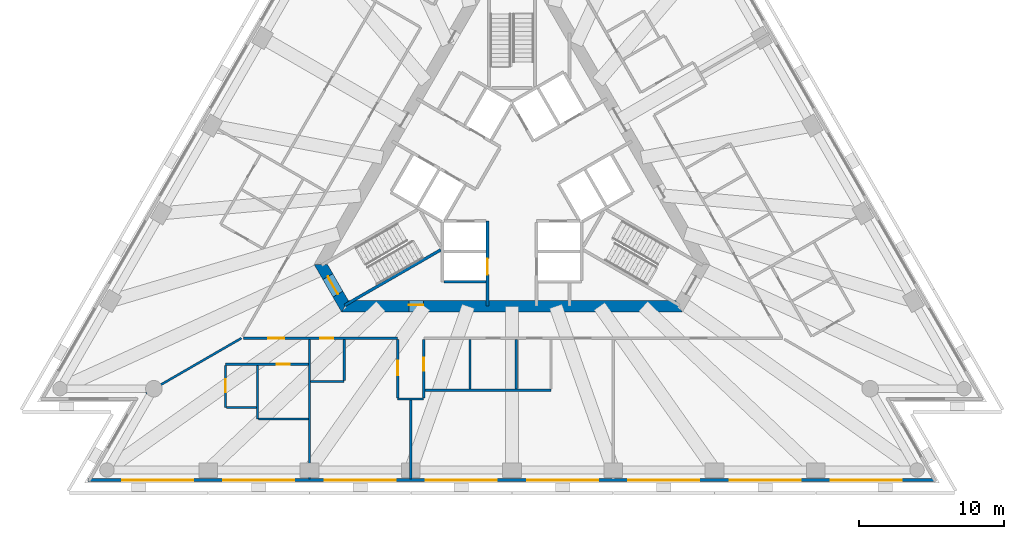
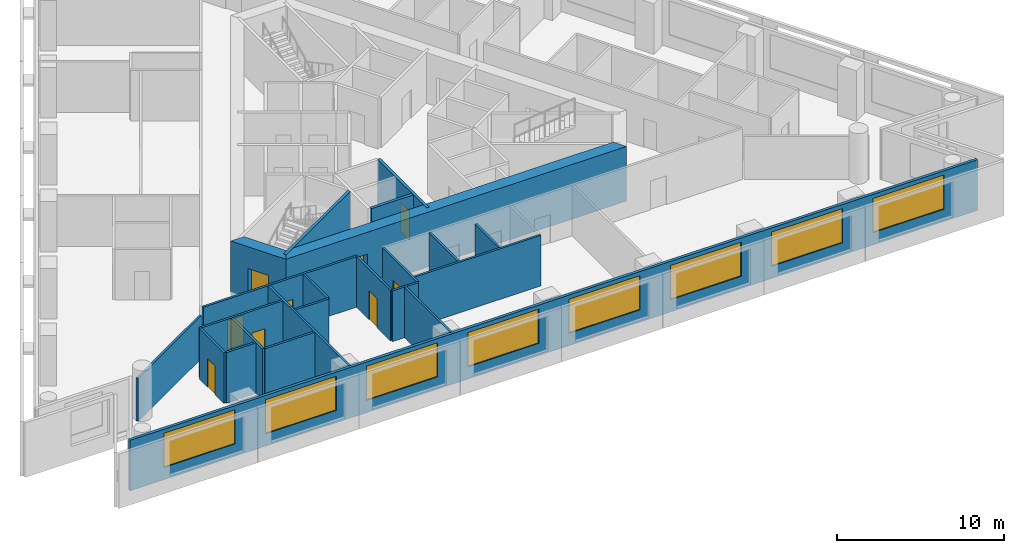
# One storey, part 3 of 10: 23 walls, 9 doors, 8 windows, 17 openings.
"""IFC4 building model written with IfcOpenShell, lengths in metres."""

from ifc_helpers import new_model, si_unit, direction, frame, frame_2d, origin, place, context, subcontext, project, spatial, polyline, rectangle, outline, extrude, material, layer, layer_set, layer_usage, type_object, element, fill, save


model = new_model("IFC4")

# Units and contexts
model_context = context("Model", 3, precision=1e-05, world=origin(), true_north=direction((0.0, 1.0)))
body_context = subcontext(model_context, "Body", "Model", "MODEL_VIEW")
ifc_project = project(units=[si_unit("LENGTHUNIT", "METRE"), si_unit("AREAUNIT", "SQUARE_METRE"), si_unit("VOLUMEUNIT", "CUBIC_METRE"), si_unit("PLANEANGLEUNIT", "RADIAN"), si_unit("MASSUNIT", "GRAM", prefix="KILO")], contexts=[model_context])

# Site, building, storey
site_placement = place(None, origin())
site = spatial("IfcSite", under=ifc_project, at=site_placement, CompositionType="ELEMENT")
building_placement = place(site_placement, origin())
building = spatial("IfcBuilding", under=site, at=building_placement, Name="Triada Interchange Tower", CompositionType="ELEMENT")
storey_placement = place(building_placement, frame((0.0, 0.0, 108.300048828125)))
storey = spatial("IfcBuildingStorey", under=building, at=storey_placement, Name="L24", CompositionType="ELEMENT", Elevation=108.300048828125)

# Wall
ifc_material_1 = material(Name="Concrete C30/37", Category="concrete")
ifc_layer_1 = layer(ifc_material_1, 0.199951171875)
ifc_layer_set_1 = layer_set([ifc_layer_1], Name="CORE WALL 200 EI 120")
wall_type_1 = type_object("IfcWallType", Name="CORE WALL 200 EI 120", PredefinedType="SOLIDWALL", material=ifc_layer_set_1)
wall_1_placement = place(storey_placement, frame((-4.699951171875, -6.89990234375, 0.0), z_axis=(0.0, 0.0, 1.0), x_axis=(1.0, 0.0, 0.0)))
element("IfcWall", 1, at=wall_1_placement, inside=storey, type_object=wall_type_1, Name="Wall L23 69", PredefinedType="SOLIDWALL", context=body_context, shape_type="SweptSolid", body=[
    extrude(rectangle(XDim=2.89990234375, YDim=0.199951171875, at=frame_2d((1.449951171875, 0.0))), origin(), (0.0, 0.0, 1.0), 3.699951171875),
])

# Wall, opening, door
wall_2_placement = place(storey_placement, frame((-1.699951171875, -8.580078125, 0.0), z_axis=(0.0, 0.0, 1.0), x_axis=(0.0, 1.0, 0.0)))
wall_2 = element("IfcWall", 2, at=wall_2_placement, inside=storey, type_object=wall_type_1, Name="Wall L23 71", PredefinedType="SOLIDWALL", context=body_context, shape_type="SweptSolid", body=[
    extrude(rectangle(XDim=5.877197265625, YDim=0.199951171875, at=frame_2d((2.9384765625, 0.0))), origin(), (0.0, 0.0, 1.0), 3.699951171875),
])
opening_1_placement = place(wall_2_placement, frame((2.179931640625, 0.0, 0.0)))
opening_1 = element("IfcOpeningElement", 3, at=opening_1_placement, cuts=wall_2, Name="Opening LD-LR4", PredefinedType="OPENING", context=body_context, shape_type="SweptSolid", body=[
    extrude(rectangle(XDim=1.10009765625, YDim=2.10009765625, at=frame_2d((0.550048828125, 1.050048828125))), frame((0.0, 0.10986328125, 0.0), z_axis=(0.0, -1.0, 0.0), x_axis=(1.0, 0.0, 0.0)), (0.0, 0.0, 1.0), 0.219970703125),
])
ifc_material_2 = material(Name="Steel S235 door leaf", Category="steel")
door_type_1 = type_object("IfcDoorType", Name="LIFT LANDING DOOR 1100 EI 120", OperationType="SLIDING_TO_LEFT", PredefinedType="DOOR", material=ifc_material_2)
door_1_placement = place(opening_1_placement, origin())
door_1 = element("IfcDoor", 4, at=door_1_placement, inside=storey, type_object=door_type_1, Name="LR4 landing door L24", OperationType="SLIDING_TO_LEFT", OverallHeight=2.10009765625, OverallWidth=1.10009765625, PredefinedType="DOOR", context=body_context, shape_type="SweptSolid", body=[
    extrude(rectangle(XDim=1.10009765625, YDim=2.10009765625, at=frame_2d((0.550048828125, 1.050048828125))), frame((0.0, 0.02490234375, 0.0), z_axis=(0.0, -1.0, 0.0), x_axis=(1.0, 0.0, 0.0)), (0.0, 0.0, 1.0), 0.050048828125),
])
fill(opening_1, door_1)

# Wall
ifc_layer_2 = layer(ifc_material_1, 0.199951171875)
ifc_layer_set_2 = layer_set([ifc_layer_2], Name="CORE WALL 200 REI 240")
wall_type_2 = type_object("IfcWallType", Name="CORE WALL 200 REI 240", PredefinedType="SOLIDWALL", material=ifc_layer_set_2)
wall_3_placement = place(storey_placement, frame((-11.56689453125, -8.52587890625, 0.0), z_axis=(0.0, 0.0, 1.0), x_axis=(0.866005769735, 0.50003400563, 0.0)))
element("IfcWall", 5, at=wall_3_placement, inside=storey, type_object=wall_type_2, Name="Wall L23 105", PredefinedType="SOLIDWALL", context=body_context, shape_type="SweptSolid", body=[
    extrude(rectangle(XDim=7.6650390625, YDim=0.199951171875, at=frame_2d((3.83251953125, 0.0))), origin(), (0.0, 0.0, 1.0), 3.699951171875),
])

# Wall, opening, door
ifc_material_3 = material(Name="Concrete C60/75", Category="concrete")
ifc_layer_3 = layer(ifc_material_3, 0.800048828125)
ifc_layer_set_3 = layer_set([ifc_layer_3], Name="Core wall B 800")
wall_type_3 = type_object("IfcWallType", Name="Core wall B 800", PredefinedType="SHEAR", material=ifc_layer_set_3)
wall_4_placement = place(storey_placement, frame((-13.220947265625, -5.699951171875, -0.300048828125), z_axis=(0.0, 0.0, 1.0), x_axis=(0.49987182685, -0.866099391942, 0.0)))
wall_4 = element("IfcWall", 6, at=wall_4_placement, inside=storey, type_object=wall_type_3, Name="Core wall WB03 L24", PredefinedType="SHEAR", context=body_context, shape_type="SweptSolid", body=[
    extrude(outline(polyline([(-0.23095703125, -0.39990234375), (1.674072265625, -0.39990234375), (3.5791015625, -0.39990234375), (3.117919921875, 0.39990234375), (1.67431640625, 0.39990234375), (0.23095703125, 0.39990234375), (-0.23095703125, -0.39990234375)])), origin(), (0.0, 0.0, 1.0), 4.0),
])
opening_2_placement = place(wall_4_placement, frame((0.97412109375, 0.0, 0.300048828125)))
opening_2 = element("IfcOpeningElement", 7, at=opening_2_placement, cuts=wall_4, Name="Opening D23-44", PredefinedType="OPENING", context=body_context, shape_type="SweptSolid", body=[
    extrude(rectangle(XDim=1.39990234375, YDim=2.10009765625, at=frame_2d((0.699951171875, 1.050048828125))), frame((0.0, 0.409912109375, 0.0), z_axis=(0.0, -1.0, 0.0), x_axis=(1.0, 0.0, 0.0)), (0.0, 0.0, 1.0), 0.820068359375),
])
door_type_2 = type_object("IfcDoorType", Name="STAIR DOOR 1400 EI2 90-C5S200", OperationType="DOUBLE_DOOR_SINGLE_SWING", PredefinedType="DOOR", material=ifc_material_2)
door_2_placement = place(opening_2_placement, origin())
door_2 = element("IfcDoor", 8, at=door_2_placement, inside=storey, type_object=door_type_2, Name="Door D23-44 L24", OperationType="DOUBLE_DOOR_SINGLE_SWING", OverallHeight=2.10009765625, OverallWidth=1.39990234375, PredefinedType="DOOR", context=body_context, shape_type="SweptSolid", body=[
    extrude(rectangle(XDim=1.39990234375, YDim=2.10009765625, at=frame_2d((0.699951171875, 1.050048828125))), frame((0.0, 0.02490234375, 0.0), z_axis=(0.0, -1.0, 0.0), x_axis=(1.0, 0.0, 0.0)), (0.0, 0.0, 1.0), 0.050048828125),
])
fill(opening_2, door_2)

wall_5_placement = place(storey_placement, frame((-11.547119140625, -8.60009765625, -0.300048828125), z_axis=(0.0, 0.0, 1.0), x_axis=(1.0, 0.0, 0.0)))
wall_5 = element("IfcWall", 9, at=wall_5_placement, inside=storey, type_object=wall_type_3, Name="Core wall WB04 L24", PredefinedType="SHEAR", context=body_context, shape_type="SweptSolid", body=[
    extrude(outline(polyline([(-0.23095703125, -0.39990234375), (1.73193359375, -0.39990234375), (3.695068359375, -0.39990234375), (5.657958984375, -0.39990234375), (7.62109375, -0.39990234375), (9.583984375, -0.39990234375), (11.546875, -0.39990234375), (13.510009765625, -0.39990234375), (15.472900390625, -0.39990234375), (17.43603515625, -0.39990234375), (19.39892578125, -0.39990234375), (21.362060546875, -0.39990234375), (23.324951171875, -0.39990234375), (22.863037109375, 0.39990234375), (20.97705078125, 0.39990234375), (19.091064453125, 0.39990234375), (17.205078125, 0.39990234375), (15.319091796875, 0.39990234375), (13.43310546875, 0.39990234375), (11.546875, 0.39990234375), (9.660888671875, 0.39990234375), (7.77490234375, 0.39990234375), (5.888916015625, 0.39990234375), (4.0029296875, 0.39990234375), (2.116943359375, 0.39990234375), (0.23095703125, 0.39990234375), (-0.23095703125, -0.39990234375)])), origin(), (0.0, 0.0, 1.0), 4.0),
])
opening_3_placement = place(wall_5_placement, frame((4.4140625, 0.0, 0.300048828125)))
opening_3 = element("IfcOpeningElement", 10, at=opening_3_placement, cuts=wall_5, Name="Opening D23-47", PredefinedType="OPENING", context=body_context, shape_type="SweptSolid", body=[
    extrude(rectangle(XDim=1.0, YDim=2.10009765625, at=frame_2d((0.5, 1.050048828125))), frame((0.0, 0.409912109375, 0.0), z_axis=(0.0, -1.0, 0.0), x_axis=(1.0, 0.0, 0.0)), (0.0, 0.0, 1.0), 0.820068359375),
])
door_type_3 = type_object("IfcDoorType", Name="SERVICE DOOR 1000 EI2 45-C5S200", OperationType="NOTDEFINED", PredefinedType="DOOR", material=ifc_material_2)
door_3_placement = place(opening_3_placement, origin())
door_3 = element("IfcDoor", 11, at=door_3_placement, inside=storey, type_object=door_type_3, Name="Door D23-47 L24", OperationType="SINGLE_SWING_LEFT", OverallHeight=2.10009765625, OverallWidth=1.0, PredefinedType="DOOR", context=body_context, shape_type="SweptSolid", body=[
    extrude(rectangle(XDim=1.0, YDim=2.10009765625, at=frame_2d((0.5, 1.050048828125))), frame((0.0, 0.125, 0.0), z_axis=(0.0, -1.0, 0.0), x_axis=(1.0, 0.0, 0.0)), (0.0, 0.0, 1.0), 0.050048828125),
])
fill(opening_3, door_3)

# Wall, openings, windows
ifc_material_4 = material(Name="Cement board")
ifc_layer_4 = layer(ifc_material_4, 0.02001953125, Name="Cement board cladding")
ifc_material_5 = material(Name="Sheathing board")
ifc_layer_5 = layer(ifc_material_5, 0.014892578125, Name="Sheathing board")
ifc_material_6 = material(Name="Mineral wool")
ifc_layer_6 = layer(ifc_material_6, 0.14990234375, Name="Mineral wool between steel studs")
ifc_material_7 = material(Name="Gypsum board")
ifc_layer_7 = layer(ifc_material_7, 0.014892578125, Name="Plasterboard lining")
ifc_layer_set_4 = layer_set([ifc_layer_4, ifc_layer_5, ifc_layer_6, ifc_layer_7], Name="External wall 200")
ifc_layer_usage = layer_usage(ifc_layer_set_4, "AXIS2", "POSITIVE", -0.10009765625)
wall_type_4 = type_object("IfcWallType", Name="External wall 200", PredefinedType="ELEMENTEDWALL", material=ifc_layer_set_4)
wall_6_placement = place(storey_placement, frame((-29.31005859375, -20.616943359375, 0.0), z_axis=(0.0, 0.0, 1.0), x_axis=(1.0, 0.0, 0.0)))
wall_6 = element("IfcWall", 12, at=wall_6_placement, inside=storey, type_object=wall_type_4, material=ifc_layer_usage, Name="External wall L24 S", PredefinedType="ELEMENTEDWALL", context=body_context, shape_type="SweptSolid", body=[
    extrude(rectangle(XDim=58.60009765625, YDim=0.199951171875, at=frame_2d((29.300048828125, 0.0))), origin(), (0.0, 0.0, 1.0), 3.699951171875),
])
opening_4_placement = place(wall_6_placement, frame((2.35400390625, 0.0, 0.89990234375)))
opening_4 = element("IfcOpeningElement", 13, at=opening_4_placement, cuts=wall_6, Name="Opening WB11", PredefinedType="OPENING", context=body_context, shape_type="SweptSolid", body=[
    extrude(rectangle(XDim=4.89990234375, YDim=2.5, at=frame_2d((2.449951171875, 1.25))), frame((0.0, 0.10986328125, 0.0), z_axis=(0.0, -1.0, 0.0), x_axis=(1.0, 0.0, 0.0)), (0.0, 0.0, 1.0), 0.219970703125),
])
opening_5_placement = place(wall_6_placement, frame((9.35595703125, 0.0, 0.89990234375)))
opening_5 = element("IfcOpeningElement", 14, at=opening_5_placement, cuts=wall_6, Name="Opening WB12", PredefinedType="OPENING", context=body_context, shape_type="SweptSolid", body=[
    extrude(rectangle(XDim=4.89990234375, YDim=2.5, at=frame_2d((2.449951171875, 1.25))), frame((0.0, 0.10986328125, 0.0), z_axis=(0.0, -1.0, 0.0), x_axis=(1.0, 0.0, 0.0)), (0.0, 0.0, 1.0), 0.219970703125),
])
opening_6_placement = place(wall_6_placement, frame((16.35693359375, 0.0, 0.89990234375)))
opening_6 = element("IfcOpeningElement", 15, at=opening_6_placement, cuts=wall_6, Name="Opening WB13", PredefinedType="OPENING", context=body_context, shape_type="SweptSolid", body=[
    extrude(rectangle(XDim=4.89990234375, YDim=2.5, at=frame_2d((2.449951171875, 1.25))), frame((0.0, 0.10986328125, 0.0), z_axis=(0.0, -1.0, 0.0), x_axis=(1.0, 0.0, 0.0)), (0.0, 0.0, 1.0), 0.219970703125),
])
opening_7_placement = place(wall_6_placement, frame((23.35888671875, 0.0, 0.89990234375)))
opening_7 = element("IfcOpeningElement", 16, at=opening_7_placement, cuts=wall_6, Name="Opening WB14", PredefinedType="OPENING", context=body_context, shape_type="SweptSolid", body=[
    extrude(rectangle(XDim=4.89990234375, YDim=2.5, at=frame_2d((2.449951171875, 1.25))), frame((0.0, 0.10986328125, 0.0), z_axis=(0.0, -1.0, 0.0), x_axis=(1.0, 0.0, 0.0)), (0.0, 0.0, 1.0), 0.219970703125),
])
opening_8_placement = place(wall_6_placement, frame((30.361083984375, 0.0, 0.89990234375)))
opening_8 = element("IfcOpeningElement", 17, at=opening_8_placement, cuts=wall_6, Name="Opening WB15", PredefinedType="OPENING", context=body_context, shape_type="SweptSolid", body=[
    extrude(rectangle(XDim=4.89990234375, YDim=2.5, at=frame_2d((2.449951171875, 1.25))), frame((0.0, 0.10986328125, 0.0), z_axis=(0.0, -1.0, 0.0), x_axis=(1.0, 0.0, 0.0)), (0.0, 0.0, 1.0), 0.219970703125),
])
opening_9_placement = place(wall_6_placement, frame((37.363037109375, 0.0, 0.89990234375)))
opening_9 = element("IfcOpeningElement", 18, at=opening_9_placement, cuts=wall_6, Name="Opening WB16", PredefinedType="OPENING", context=body_context, shape_type="SweptSolid", body=[
    extrude(rectangle(XDim=4.89990234375, YDim=2.5, at=frame_2d((2.449951171875, 1.25))), frame((0.0, 0.10986328125, 0.0), z_axis=(0.0, -1.0, 0.0), x_axis=(1.0, 0.0, 0.0)), (0.0, 0.0, 1.0), 0.219970703125),
])
opening_10_placement = place(wall_6_placement, frame((44.364013671875, 0.0, 0.89990234375)))
opening_10 = element("IfcOpeningElement", 19, at=opening_10_placement, cuts=wall_6, Name="Opening WB17", PredefinedType="OPENING", context=body_context, shape_type="SweptSolid", body=[
    extrude(rectangle(XDim=4.89990234375, YDim=2.5, at=frame_2d((2.449951171875, 1.25))), frame((0.0, 0.10986328125, 0.0), z_axis=(0.0, -1.0, 0.0), x_axis=(1.0, 0.0, 0.0)), (0.0, 0.0, 1.0), 0.219970703125),
])
opening_11_placement = place(wall_6_placement, frame((51.365966796875, 0.0, 0.89990234375)))
opening_11 = element("IfcOpeningElement", 20, at=opening_11_placement, cuts=wall_6, Name="Opening WB18", PredefinedType="OPENING", context=body_context, shape_type="SweptSolid", body=[
    extrude(rectangle(XDim=4.89990234375, YDim=2.5, at=frame_2d((2.449951171875, 1.25))), frame((0.0, 0.10986328125, 0.0), z_axis=(0.0, -1.0, 0.0), x_axis=(1.0, 0.0, 0.0)), (0.0, 0.0, 1.0), 0.219970703125),
])
ifc_material_8 = material(Name="Double glazed aluminium window", Category="aluminium")
window_type = type_object("IfcWindowType", Name="Ribbon window B face", PartitioningType="SINGLE_PANEL", PredefinedType="WINDOW", material=ifc_material_8)
window_1_placement = place(opening_4_placement, origin())
window_1 = element("IfcWindow", 21, at=window_1_placement, inside=storey, type_object=window_type, Name="Window L24 S 1", OverallHeight=2.5, OverallWidth=4.89990234375, PartitioningType="SINGLE_PANEL", PredefinedType="WINDOW", context=body_context, shape_type="SweptSolid", body=[
    extrude(rectangle(XDim=4.89990234375, YDim=2.5, at=frame_2d((2.449951171875, 1.25))), frame((0.0, 0.030029296875, 0.0), z_axis=(0.0, -1.0, 0.0), x_axis=(1.0, 0.0, 0.0)), (0.0, 0.0, 1.0), 0.06005859375),
])
fill(opening_4, window_1)
window_2_placement = place(opening_5_placement, origin())
window_2 = element("IfcWindow", 22, at=window_2_placement, inside=storey, type_object=window_type, Name="Window L24 S 2", OverallHeight=2.5, OverallWidth=4.89990234375, PartitioningType="SINGLE_PANEL", PredefinedType="WINDOW", context=body_context, shape_type="SweptSolid", body=[
    extrude(rectangle(XDim=4.89990234375, YDim=2.5, at=frame_2d((2.449951171875, 1.25))), frame((0.0, 0.030029296875, 0.0), z_axis=(0.0, -1.0, 0.0), x_axis=(1.0, 0.0, 0.0)), (0.0, 0.0, 1.0), 0.06005859375),
])
fill(opening_5, window_2)
window_3_placement = place(opening_6_placement, origin())
window_3 = element("IfcWindow", 23, at=window_3_placement, inside=storey, type_object=window_type, Name="Window L24 S 3", OverallHeight=2.5, OverallWidth=4.89990234375, PartitioningType="SINGLE_PANEL", PredefinedType="WINDOW", context=body_context, shape_type="SweptSolid", body=[
    extrude(rectangle(XDim=4.89990234375, YDim=2.5, at=frame_2d((2.449951171875, 1.25))), frame((0.0, 0.030029296875, 0.0), z_axis=(0.0, -1.0, 0.0), x_axis=(1.0, 0.0, 0.0)), (0.0, 0.0, 1.0), 0.06005859375),
])
fill(opening_6, window_3)
window_4_placement = place(opening_7_placement, origin())
window_4 = element("IfcWindow", 24, at=window_4_placement, inside=storey, type_object=window_type, Name="Window L24 S 4", OverallHeight=2.5, OverallWidth=4.89990234375, PartitioningType="SINGLE_PANEL", PredefinedType="WINDOW", context=body_context, shape_type="SweptSolid", body=[
    extrude(rectangle(XDim=4.89990234375, YDim=2.5, at=frame_2d((2.449951171875, 1.25))), frame((0.0, 0.030029296875, 0.0), z_axis=(0.0, -1.0, 0.0), x_axis=(1.0, 0.0, 0.0)), (0.0, 0.0, 1.0), 0.06005859375),
])
fill(opening_7, window_4)
window_5_placement = place(opening_8_placement, origin())
window_5 = element("IfcWindow", 25, at=window_5_placement, inside=storey, type_object=window_type, Name="Window L24 S 5", OverallHeight=2.5, OverallWidth=4.89990234375, PartitioningType="SINGLE_PANEL", PredefinedType="WINDOW", context=body_context, shape_type="SweptSolid", body=[
    extrude(rectangle(XDim=4.89990234375, YDim=2.5, at=frame_2d((2.449951171875, 1.25))), frame((0.0, 0.030029296875, 0.0), z_axis=(0.0, -1.0, 0.0), x_axis=(1.0, 0.0, 0.0)), (0.0, 0.0, 1.0), 0.06005859375),
])
fill(opening_8, window_5)
window_6_placement = place(opening_9_placement, origin())
window_6 = element("IfcWindow", 26, at=window_6_placement, inside=storey, type_object=window_type, Name="Window L24 S 6", OverallHeight=2.5, OverallWidth=4.89990234375, PartitioningType="SINGLE_PANEL", PredefinedType="WINDOW", context=body_context, shape_type="SweptSolid", body=[
    extrude(rectangle(XDim=4.89990234375, YDim=2.5, at=frame_2d((2.449951171875, 1.25))), frame((0.0, 0.030029296875, 0.0), z_axis=(0.0, -1.0, 0.0), x_axis=(1.0, 0.0, 0.0)), (0.0, 0.0, 1.0), 0.06005859375),
])
fill(opening_9, window_6)
window_7_placement = place(opening_10_placement, origin())
window_7 = element("IfcWindow", 27, at=window_7_placement, inside=storey, type_object=window_type, Name="Window L24 S 7", OverallHeight=2.5, OverallWidth=4.89990234375, PartitioningType="SINGLE_PANEL", PredefinedType="WINDOW", context=body_context, shape_type="SweptSolid", body=[
    extrude(rectangle(XDim=4.89990234375, YDim=2.5, at=frame_2d((2.449951171875, 1.25))), frame((0.0, 0.030029296875, 0.0), z_axis=(0.0, -1.0, 0.0), x_axis=(1.0, 0.0, 0.0)), (0.0, 0.0, 1.0), 0.06005859375),
])
fill(opening_10, window_7)
window_8_placement = place(opening_11_placement, origin())
window_8 = element("IfcWindow", 28, at=window_8_placement, inside=storey, type_object=window_type, Name="Window L24 S 8", OverallHeight=2.5, OverallWidth=4.89990234375, PartitioningType="SINGLE_PANEL", PredefinedType="WINDOW", context=body_context, shape_type="SweptSolid", body=[
    extrude(rectangle(XDim=4.89990234375, YDim=2.5, at=frame_2d((2.449951171875, 1.25))), frame((0.0, 0.030029296875, 0.0), z_axis=(0.0, -1.0, 0.0), x_axis=(1.0, 0.0, 0.0)), (0.0, 0.0, 1.0), 0.06005859375),
])
fill(opening_11, window_8)

# Wall
ifc_material_9 = material(Name="Gypsum board partition")
ifc_layer_8 = layer(ifc_material_9, 0.14990234375)
ifc_layer_set_5 = layer_set([ifc_layer_8], Name="PARTITION 150 EI 180")
wall_type_5 = type_object("IfcWallType", Name="PARTITION 150 EI 180", PredefinedType="PARTITIONING", material=ifc_layer_set_5)
wall_7_placement = place(storey_placement, frame((-25.299072265625, -14.60595703125, 0.0), z_axis=(0.0, 0.0, 1.0), x_axis=(0.866002408008, 0.500039827738, 0.0)))
element("IfcWall", 29, at=wall_7_placement, inside=storey, type_object=wall_type_5, Name="Wall L23 1", PredefinedType="PARTITIONING", context=body_context, shape_type="SweptSolid", body=[
    extrude(rectangle(XDim=7.61328125, YDim=0.14990234375, at=frame_2d((3.806640625, 0.0))), origin(), (0.0, 0.0, 1.0), 3.14990234375),
])

# Wall, openings, doors
wall_8_placement = place(storey_placement, frame((-18.555908203125, -10.800048828125, 0.0), z_axis=(0.0, 0.0, 1.0), x_axis=(1.0, 0.0, 0.0)))
wall_8 = element("IfcWall", 30, at=wall_8_placement, inside=storey, type_object=wall_type_5, Name="Wall L23 4", PredefinedType="PARTITIONING", context=body_context, shape_type="SweptSolid", body=[
    extrude(rectangle(XDim=10.65283203125, YDim=0.14990234375, at=frame_2d((5.326416015625, 0.0))), origin(), (0.0, 0.0, 1.0), 3.699951171875),
])
opening_12_placement = place(wall_8_placement, frame((1.699951171875, 0.0, 0.0)))
opening_12 = element("IfcOpeningElement", 31, at=opening_12_placement, cuts=wall_8, Name="Opening D23-11", PredefinedType="OPENING", context=body_context, shape_type="SweptSolid", body=[
    extrude(rectangle(XDim=1.10009765625, YDim=2.10009765625, at=frame_2d((0.550048828125, 1.050048828125))), frame((0.0, 0.0849609375, 0.0), z_axis=(0.0, -1.0, 0.0), x_axis=(1.0, 0.0, 0.0)), (0.0, 0.0, 1.0), 0.169921875),
])
opening_13_placement = place(wall_8_placement, frame((5.302001953125, 0.0, 0.0)))
opening_13 = element("IfcOpeningElement", 32, at=opening_13_placement, cuts=wall_8, Name="Opening D23-15", PredefinedType="OPENING", context=body_context, shape_type="SweptSolid", body=[
    extrude(rectangle(XDim=0.89990234375, YDim=2.10009765625, at=frame_2d((0.449951171875, 1.050048828125))), frame((0.0, 0.0849609375, 0.0), z_axis=(0.0, -1.0, 0.0), x_axis=(1.0, 0.0, 0.0)), (0.0, 0.0, 1.0), 0.169921875),
])
door_type_4 = type_object("IfcDoorType", Name="SERVICE DOOR 900 EI2 90-C5S200", OperationType="NOTDEFINED", PredefinedType="DOOR", material=ifc_material_2)
door_4_placement = place(opening_13_placement, origin())
door_4 = element("IfcDoor", 33, at=door_4_placement, inside=storey, type_object=door_type_4, Name="Door D23-15 L24", OperationType="SINGLE_SWING_RIGHT", OverallHeight=2.10009765625, OverallWidth=0.89990234375, PredefinedType="DOOR", context=body_context, shape_type="SweptSolid", body=[
    extrude(rectangle(XDim=0.89990234375, YDim=2.10009765625, at=frame_2d((0.449951171875, 1.050048828125))), frame((0.0, 0.02490234375, 0.0), z_axis=(0.0, -1.0, 0.0), x_axis=(1.0, 0.0, 0.0)), (0.0, 0.0, 1.0), 0.050048828125),
])
fill(opening_13, door_4)
door_type_5 = type_object("IfcDoorType", Name="TENANCY ENTRANCE DOOR 1100 EI2 90-C5S200", OperationType="NOTDEFINED", PredefinedType="DOOR", material=ifc_material_2)
door_5_placement = place(opening_12_placement, origin())
door_5 = element("IfcDoor", 34, at=door_5_placement, inside=storey, type_object=door_type_5, Name="Door D23-11 L24", OperationType="SINGLE_SWING_RIGHT", OverallHeight=2.10009765625, OverallWidth=1.10009765625, PredefinedType="DOOR", context=body_context, shape_type="SweptSolid", body=[
    extrude(rectangle(XDim=1.10009765625, YDim=2.10009765625, at=frame_2d((0.550048828125, 1.050048828125))), frame((0.0, 0.02490234375, 0.0), z_axis=(0.0, -1.0, 0.0), x_axis=(1.0, 0.0, 0.0)), (0.0, 0.0, 1.0), 0.050048828125),
])
fill(opening_12, door_5)

# Walls
wall_9_placement = place(storey_placement, frame((-14.00390625, -20.537109375, 0.0), z_axis=(0.0, 0.0, 1.0), x_axis=(0.0, 1.0, 0.0)))
element("IfcWall", 35, at=wall_9_placement, inside=storey, type_object=wall_type_5, Name="Wall L23 9", PredefinedType="PARTITIONING", context=body_context, shape_type="SweptSolid", body=[
    extrude(rectangle(XDim=9.662109375, YDim=0.14990234375, at=frame_2d((4.8310546875, 0.0))), origin(), (0.0, 0.0, 1.0), 3.699951171875),
])
wall_10_placement = place(storey_placement, frame((-13.928955078125, -13.800048828125, 0.0), z_axis=(0.0, 0.0, 1.0), x_axis=(1.0, 0.0, 0.0)))
element("IfcWall", 36, at=wall_10_placement, inside=storey, type_object=wall_type_5, Name="Wall L23 10", PredefinedType="PARTITIONING", context=body_context, shape_type="SweptSolid", body=[
    extrude(rectangle(XDim=2.324951171875, YDim=0.14990234375, at=frame_2d((1.16259765625, 0.0))), origin(), (0.0, 0.0, 1.0), 3.699951171875),
])
wall_11_placement = place(storey_placement, frame((-11.60400390625, -13.72509765625, 0.0), z_axis=(0.0, 0.0, 1.0), x_axis=(0.0, 1.0, 0.0)))
element("IfcWall", 37, at=wall_11_placement, inside=storey, type_object=wall_type_5, Name="Wall L23 11", PredefinedType="PARTITIONING", context=body_context, shape_type="SweptSolid", body=[
    extrude(rectangle(XDim=2.85009765625, YDim=0.14990234375, at=frame_2d((1.425048828125, 0.0))), origin(), (0.0, 0.0, 1.0), 3.699951171875),
])
wall_12_placement = place(storey_placement, frame((-7.902099609375, -15.0, 0.0), z_axis=(0.0, 0.0, 1.0), x_axis=(1.0, 0.0, 0.0)))
element("IfcWall", 38, at=wall_12_placement, inside=storey, type_object=wall_type_5, Name="Wall L23 14", PredefinedType="PARTITIONING", context=body_context, shape_type="SweptSolid", body=[
    extrude(rectangle(XDim=1.800048828125, YDim=0.14990234375, at=frame_2d((0.89990234375, 0.0))), origin(), (0.0, 0.0, 1.0), 3.699951171875),
])

# Wall, opening, door
wall_13_placement = place(storey_placement, frame((-7.902099609375, -14.925048828125, 0.0), z_axis=(0.0, 0.0, 1.0), x_axis=(0.0, 1.0, 0.0)))
wall_13 = element("IfcWall", 39, at=wall_13_placement, inside=storey, type_object=wall_type_5, Name="Wall L23 15", PredefinedType="PARTITIONING", context=body_context, shape_type="SweptSolid", body=[
    extrude(rectangle(XDim=4.049072265625, YDim=0.14990234375, at=frame_2d((2.0244140625, 0.0))), origin(), (0.0, 0.0, 1.0), 3.699951171875),
])
opening_14_placement = place(wall_13_placement, frame((1.574951171875, 0.0, 0.0)))
opening_14 = element("IfcOpeningElement", 40, at=opening_14_placement, cuts=wall_13, Name="Opening D23-14", PredefinedType="OPENING", context=body_context, shape_type="SweptSolid", body=[
    extrude(rectangle(XDim=1.0, YDim=2.10009765625, at=frame_2d((0.5, 1.050048828125))), frame((0.0, 0.0849609375, 0.0), z_axis=(0.0, -1.0, 0.0), x_axis=(1.0, 0.0, 0.0)), (0.0, 0.0, 1.0), 0.169921875),
])
door_type_6 = type_object("IfcDoorType", Name="ROOM DOOR 1000 EI2 90-C5S200", OperationType="NOTDEFINED", PredefinedType="DOOR", material=ifc_material_2)
door_6_placement = place(opening_14_placement, origin())
door_6 = element("IfcDoor", 41, at=door_6_placement, inside=storey, type_object=door_type_6, Name="Door D23-14 L24", OperationType="SINGLE_SWING_LEFT", OverallHeight=2.10009765625, OverallWidth=1.0, PredefinedType="DOOR", context=body_context, shape_type="SweptSolid", body=[
    extrude(rectangle(XDim=1.0, YDim=2.10009765625, at=frame_2d((0.5, 1.050048828125))), frame((0.0, 0.02490234375, 0.0), z_axis=(0.0, -1.0, 0.0), x_axis=(1.0, 0.0, 0.0)), (0.0, 0.0, 1.0), 0.050048828125),
])
fill(opening_14, door_6)

# Wall
wall_14_placement = place(storey_placement, frame((-7.001953125, -20.537109375, 0.0), z_axis=(0.0, 0.0, 1.0), x_axis=(0.0, 1.0, 0.0)))
element("IfcWall", 42, at=wall_14_placement, inside=storey, type_object=wall_type_5, Name="Wall L23 18", PredefinedType="PARTITIONING", context=body_context, shape_type="SweptSolid", body=[
    extrude(rectangle(XDim=5.462158203125, YDim=0.14990234375, at=frame_2d((2.73095703125, 0.0))), origin(), (0.0, 0.0, 1.0), 3.699951171875),
])

# Wall, opening, door
wall_15_placement = place(storey_placement, frame((-6.10205078125, -14.925048828125, 0.0), z_axis=(0.0, 0.0, 1.0), x_axis=(0.0, 1.0, 0.0)))
wall_15 = element("IfcWall", 43, at=wall_15_placement, inside=storey, type_object=wall_type_5, Name="Wall L23 19", PredefinedType="PARTITIONING", context=body_context, shape_type="SweptSolid", body=[
    extrude(rectangle(XDim=4.049072265625, YDim=0.14990234375, at=frame_2d((2.0244140625, 0.0))), origin(), (0.0, 0.0, 1.0), 3.699951171875),
])
opening_15_placement = place(wall_15_placement, frame((1.875, 0.0, 0.0)))
opening_15 = element("IfcOpeningElement", 44, at=opening_15_placement, cuts=wall_15, Name="Opening D23-17", PredefinedType="OPENING", context=body_context, shape_type="SweptSolid", body=[
    extrude(rectangle(XDim=0.89990234375, YDim=2.10009765625, at=frame_2d((0.449951171875, 1.050048828125))), frame((0.0, 0.0849609375, 0.0), z_axis=(0.0, -1.0, 0.0), x_axis=(1.0, 0.0, 0.0)), (0.0, 0.0, 1.0), 0.169921875),
])
door_type_7 = type_object("IfcDoorType", Name="ROOM DOOR 900 EI2 90-C5S200", OperationType="NOTDEFINED", PredefinedType="DOOR", material=ifc_material_2)
door_7_placement = place(opening_15_placement, origin())
door_7 = element("IfcDoor", 45, at=door_7_placement, inside=storey, type_object=door_type_7, Name="Door D23-17 L24", OperationType="SINGLE_SWING_RIGHT", OverallHeight=2.10009765625, OverallWidth=0.89990234375, PredefinedType="DOOR", context=body_context, shape_type="SweptSolid", body=[
    extrude(rectangle(XDim=0.89990234375, YDim=2.10009765625, at=frame_2d((0.449951171875, 1.050048828125))), frame((0.0, 0.02490234375, 0.0), z_axis=(0.0, -1.0, 0.0), x_axis=(1.0, 0.0, 0.0)), (0.0, 0.0, 1.0), 0.050048828125),
])
fill(opening_15, door_7)

# Walls
wall_16_placement = place(storey_placement, frame((-6.027099609375, -14.39990234375, 0.0), z_axis=(0.0, 0.0, 1.0), x_axis=(1.0, 0.0, 0.0)))
element("IfcWall", 46, at=wall_16_placement, inside=storey, type_object=wall_type_5, Name="Wall L23 20", PredefinedType="PARTITIONING", context=body_context, shape_type="SweptSolid", body=[
    extrude(rectangle(XDim=8.72509765625, YDim=0.14990234375, at=frame_2d((4.362548828125, 0.0))), origin(), (0.0, 0.0, 1.0), 3.699951171875),
])
wall_17_placement = place(storey_placement, frame((-2.902099609375, -14.324951171875, 0.0), z_axis=(0.0, 0.0, 1.0), x_axis=(0.0, 1.0, 0.0)))
element("IfcWall", 47, at=wall_17_placement, inside=storey, type_object=wall_type_5, Name="Wall L23 21", PredefinedType="PARTITIONING", context=body_context, shape_type="SweptSolid", body=[
    extrude(rectangle(XDim=3.449951171875, YDim=0.14990234375, at=frame_2d((1.72509765625, 0.0))), origin(), (0.0, 0.0, 1.0), 3.699951171875),
])
wall_18_placement = place(storey_placement, frame((0.298095703125, -14.324951171875, 0.0), z_axis=(0.0, 0.0, 1.0), x_axis=(0.0, 1.0, 0.0)))
element("IfcWall", 48, at=wall_18_placement, inside=storey, type_object=wall_type_5, Name="Wall L23 26", PredefinedType="PARTITIONING", context=body_context, shape_type="SweptSolid", body=[
    extrude(rectangle(XDim=3.449951171875, YDim=0.14990234375, at=frame_2d((1.72509765625, 0.0))), origin(), (0.0, 0.0, 1.0), 3.199951171875),
])
ifc_layer_9 = layer(ifc_material_9, 0.14990234375)
ifc_layer_set_6 = layer_set([ifc_layer_9], Name="PARTITION 150 EI 90")
wall_type_6 = type_object("IfcWallType", Name="PARTITION 150 EI 90", PredefinedType="PARTITIONING", material=ifc_layer_set_6)
wall_19_placement = place(storey_placement, frame((-17.60400390625, -16.39990234375, 0.0), z_axis=(0.0, 0.0, 1.0), x_axis=(0.0, 1.0, 0.0)))
element("IfcWall", 49, at=wall_19_placement, inside=storey, type_object=wall_type_6, Name="Wall L23 47", PredefinedType="PARTITIONING", context=body_context, shape_type="SweptSolid", body=[
    extrude(rectangle(XDim=3.724853515625, YDim=0.14990234375, at=frame_2d((1.8623046875, 0.0))), origin(), (0.0, 0.0, 1.0), 3.699951171875),
])

# Wall, opening, door
wall_20_placement = place(storey_placement, frame((-19.803955078125, -12.60009765625, 0.0), z_axis=(0.0, 0.0, 1.0), x_axis=(1.0, 0.0, 0.0)))
wall_20 = element("IfcWall", 50, at=wall_20_placement, inside=storey, type_object=wall_type_6, Name="Wall L23 48", PredefinedType="PARTITIONING", context=body_context, shape_type="SweptSolid", body=[
    extrude(rectangle(XDim=5.724853515625, YDim=0.14990234375, at=frame_2d((2.8623046875, 0.0))), origin(), (0.0, 0.0, 1.0), 3.699951171875),
])
opening_16_placement = place(wall_20_placement, frame((3.550048828125, 0.0, 0.0)))
opening_16 = element("IfcOpeningElement", 51, at=opening_16_placement, cuts=wall_20, Name="Opening D23-12", PredefinedType="OPENING", context=body_context, shape_type="SweptSolid", body=[
    extrude(rectangle(XDim=0.89990234375, YDim=2.10009765625, at=frame_2d((0.449951171875, 1.050048828125))), frame((0.0, 0.0849609375, 0.0), z_axis=(0.0, -1.0, 0.0), x_axis=(1.0, 0.0, 0.0)), (0.0, 0.0, 1.0), 0.169921875),
])
door_type_8 = type_object("IfcDoorType", Name="ROOM DOOR 900 EI2 45-C5S200", OperationType="NOTDEFINED", PredefinedType="DOOR", material=ifc_material_2)
door_8_placement = place(opening_16_placement, origin())
door_8 = element("IfcDoor", 52, at=door_8_placement, inside=storey, type_object=door_type_8, Name="Door D23-12 L24", OperationType="SINGLE_SWING_LEFT", OverallHeight=2.10009765625, OverallWidth=0.89990234375, PredefinedType="DOOR", context=body_context, shape_type="SweptSolid", body=[
    extrude(rectangle(XDim=0.89990234375, YDim=2.10009765625, at=frame_2d((0.449951171875, 1.050048828125))), frame((0.0, 0.02490234375, 0.0), z_axis=(0.0, -1.0, 0.0), x_axis=(1.0, 0.0, 0.0)), (0.0, 0.0, 1.0), 0.050048828125),
])
fill(opening_16, door_8)

wall_21_placement = place(storey_placement, frame((-19.803955078125, -15.60009765625, 0.0), z_axis=(0.0, 0.0, 1.0), x_axis=(0.0, 1.0, 0.0)))
wall_21 = element("IfcWall", 53, at=wall_21_placement, inside=storey, type_object=wall_type_6, Name="Wall L23 49", PredefinedType="PARTITIONING", context=body_context, shape_type="SweptSolid", body=[
    extrude(rectangle(XDim=2.925048828125, YDim=0.14990234375, at=frame_2d((1.46240234375, 0.0))), origin(), (0.0, 0.0, 1.0), 3.699951171875),
])
opening_17_placement = place(wall_21_placement, frame((1.050048828125, 0.0, 0.0)))
opening_17 = element("IfcOpeningElement", 54, at=opening_17_placement, cuts=wall_21, Name="Opening D23-13", PredefinedType="OPENING", context=body_context, shape_type="SweptSolid", body=[
    extrude(rectangle(XDim=0.89990234375, YDim=2.10009765625, at=frame_2d((0.449951171875, 1.050048828125))), frame((0.0, 0.0849609375, 0.0), z_axis=(0.0, -1.0, 0.0), x_axis=(1.0, 0.0, 0.0)), (0.0, 0.0, 1.0), 0.169921875),
])
door_type_9 = type_object("IfcDoorType", Name="SERVICE DOOR 900 EI2 45-C5S200", OperationType="NOTDEFINED", PredefinedType="DOOR", material=ifc_material_2)
door_9_placement = place(opening_17_placement, origin())
door_9 = element("IfcDoor", 55, at=door_9_placement, inside=storey, type_object=door_type_9, Name="Door D23-13 L24", OperationType="SINGLE_SWING_LEFT", OverallHeight=2.10009765625, OverallWidth=0.89990234375, PredefinedType="DOOR", context=body_context, shape_type="SweptSolid", body=[
    extrude(rectangle(XDim=0.89990234375, YDim=2.10009765625, at=frame_2d((0.449951171875, 1.050048828125))), frame((0.0, 0.02490234375, 0.0), z_axis=(0.0, -1.0, 0.0), x_axis=(1.0, 0.0, 0.0)), (0.0, 0.0, 1.0), 0.050048828125),
])
fill(opening_17, door_9)

# Walls
wall_22_placement = place(storey_placement, frame((-19.72900390625, -15.60009765625, 0.0), z_axis=(0.0, 0.0, 1.0), x_axis=(1.0, 0.0, 0.0)))
element("IfcWall", 56, at=wall_22_placement, inside=storey, type_object=wall_type_6, Name="Wall L23 50", PredefinedType="PARTITIONING", context=body_context, shape_type="SweptSolid", body=[
    extrude(rectangle(XDim=2.050048828125, YDim=0.14990234375, at=frame_2d((1.02490234375, 0.0))), origin(), (0.0, 0.0, 1.0), 3.699951171875),
])
wall_23_placement = place(storey_placement, frame((-17.529052734375, -16.39990234375, 0.0), z_axis=(0.0, 0.0, 1.0), x_axis=(1.0, 0.0, 0.0)))
element("IfcWall", 57, at=wall_23_placement, inside=storey, type_object=wall_type_6, Name="Wall L23 51", PredefinedType="PARTITIONING", context=body_context, shape_type="SweptSolid", body=[
    extrude(rectangle(XDim=3.449951171875, YDim=0.14990234375, at=frame_2d((1.72509765625, 0.0))), origin(), (0.0, 0.0, 1.0), 3.699951171875),
])

save(model, "model.ifc")
